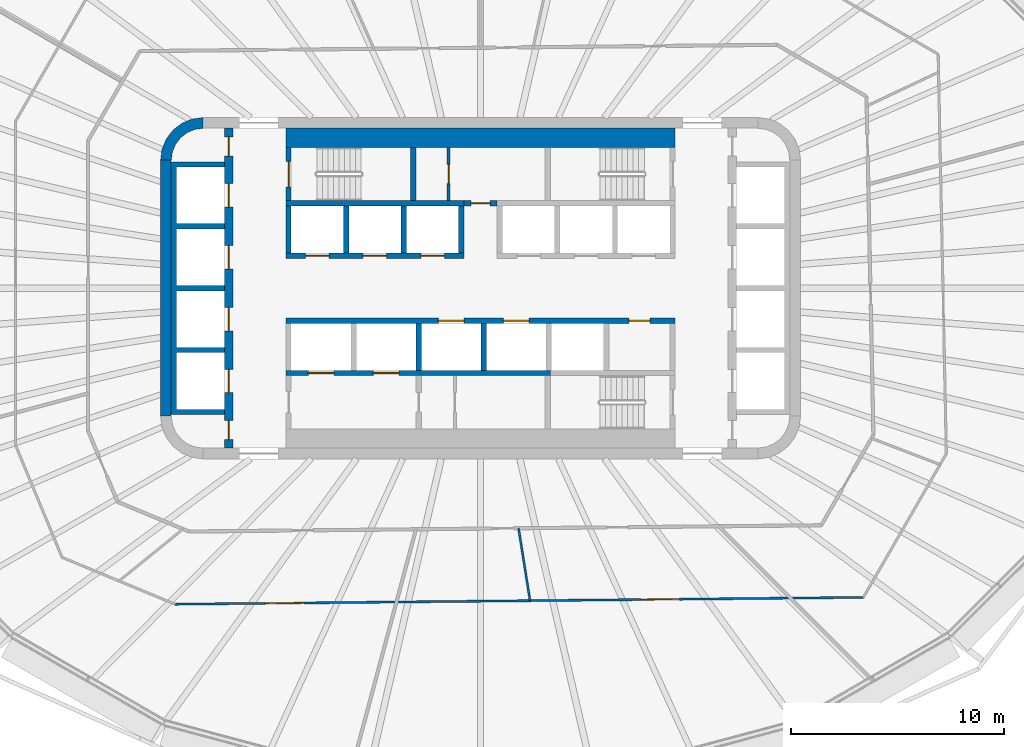
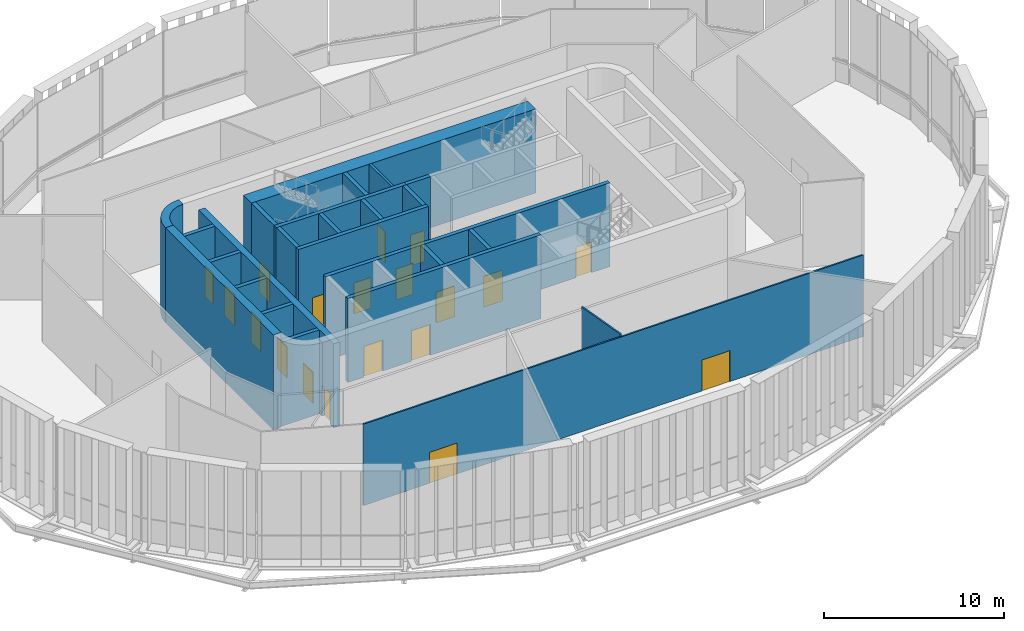
# One storey, part 8 of 18: 21 walls, 19 doors, 19 openings.
"""IFC4 building model written with IfcOpenShell, lengths in metres."""

from ifc_helpers import new_model, si_unit, direction, frame, frame_2d, origin, place, context, subcontext, project, spatial, polyline, rectangle, outline, extrude, material, layer, layer_set, type_object, element, fill, save


model = new_model("IFC4")

# Units and contexts
model_context = context("Model", 3, precision=1e-05, world=origin(), true_north=direction((0.0, 1.0)))
body_context = subcontext(model_context, "Body", "Model", "MODEL_VIEW")
ifc_project = project(units=[si_unit("LENGTHUNIT", "METRE"), si_unit("AREAUNIT", "SQUARE_METRE"), si_unit("VOLUMEUNIT", "CUBIC_METRE"), si_unit("PLANEANGLEUNIT", "RADIAN"), si_unit("MASSUNIT", "GRAM", prefix="KILO")], contexts=[model_context])

# Site, building, storey
site_placement = place(None, origin())
site = spatial("IfcSite", under=ifc_project, at=site_placement, CompositionType="ELEMENT")
building_placement = place(site_placement, origin())
building = spatial("IfcBuilding", under=site, at=building_placement, Name="Sahrelin Media Tower", CompositionType="ELEMENT")
storey_placement = place(building_placement, frame((0.0, 0.0, 203.0)))
storey = spatial("IfcBuildingStorey", under=building, at=storey_placement, Name="L43", CompositionType="ELEMENT", Elevation=203.0)

# Walls
ifc_material_1 = material(Name="Concrete C60/75", Category="concrete")
ifc_layer_1 = layer(ifc_material_1, 0.5)
ifc_layer_set_1 = layer_set([ifc_layer_1], Name="Core wall 500")
wall_type_1 = type_object("IfcWallType", Name="Core wall 500", PredefinedType="SHEAR", material=ifc_layer_set_1)
wall_1_placement = place(storey_placement, frame((-14.75, -6.0, 0.0), z_axis=(0.0, 0.0, 1.0), x_axis=(0.0, 1.0, 0.0)))
element("IfcWall", 1, at=wall_1_placement, inside=storey, type_object=wall_type_1, Name="Core wall W L43", PredefinedType="SHEAR", context=body_context, shape_type="SweptSolid", body=[
    extrude(rectangle(XDim=12.0, YDim=0.5, at=frame_2d((6.0, 0.0))), origin(), (0.0, 0.0, 1.0), 6.449951171875),
])
placement = place(storey_placement, origin())
element("IfcWall", 2, at=placement, inside=storey, type_object=wall_type_1, Name="Core wall corner NW L43", PredefinedType="SHEAR", context=body_context, shape_type="SweptSolid", body=[
    extrude(outline(polyline([(-15.0, 6.0), (-14.49560546875, 6.0), (-14.44482421875, 6.38720703125), (-14.29541015625, 6.747802734375), (-14.0576171875, 7.0576171875), (-13.747802734375, 7.29541015625), (-13.38720703125, 7.44482421875), (-13.0, 7.49560546875), (-13.0, 8.0), (-13.517578125, 7.931884765625), (-14.0, 7.732177734375), (-14.414306640625, 7.414306640625), (-14.732177734375, 7.0), (-14.931884765625, 6.517578125), (-15.0, 6.0)])), origin(), (0.0, 0.0, 1.0), 6.449951171875),
])

# Wall, opening, door
ifc_material_2 = material(Name="Fire-rated gypsum board partition")
ifc_layer_2 = layer(ifc_material_2, 0.25)
ifc_layer_set_2 = layer_set([ifc_layer_2], Name="Fire-rated lobby wall 250")
wall_type_2 = type_object("IfcWallType", Name="Fire-rated lobby wall 250", PredefinedType="PARTITIONING", material=ifc_layer_set_2)
wall_3_placement = place(storey_placement, frame((-0.77490234375, 3.97509765625, 0.0), z_axis=(0.0, 0.0, 1.0), x_axis=(1.0, 0.0, 0.0)))
wall_3 = element("IfcWall", 3, at=wall_3_placement, inside=storey, type_object=wall_type_2, Name="Core lobby wall", PredefinedType="PARTITIONING", context=body_context, shape_type="SweptSolid", body=[
    extrude(rectangle(XDim=1.5498046875, YDim=0.25, at=frame_2d((0.77490234375, 0.0))), origin(), (0.0, 0.0, 1.0), 5.699951171875),
])
opening_1_placement = place(wall_3_placement, frame((0.324951171875, 0.0, 0.0)))
opening_1 = element("IfcOpeningElement", 4, at=opening_1_placement, cuts=wall_3, Name="Opening L43-D06", PredefinedType="OPENING", context=body_context, shape_type="SweptSolid", body=[
    extrude(rectangle(XDim=0.89990234375, YDim=2.10009765625, at=frame_2d((0.449951171875, 1.050048828125))), frame((0.0, 0.125, 0.0), z_axis=(0.0, -1.0, 0.0), x_axis=(1.0, 0.0, 0.0)), (0.0, 0.0, 1.0), 0.25),
])
ifc_material_3 = material(Name="Steel fire door leaf", Category="steel")
door_type_1 = type_object("IfcDoorType", Name="Riser door 900 x 2100 EI 120", OperationType="NOTDEFINED", PredefinedType="DOOR", material=ifc_material_3)
door_1_placement = place(opening_1_placement, origin())
door_1 = element("IfcDoor", 5, at=door_1_placement, inside=storey, type_object=door_type_1, Name="Core room door", OperationType="SINGLE_SWING_LEFT", OverallHeight=2.10009765625, OverallWidth=0.89990234375, PredefinedType="DOOR", context=body_context, shape_type="SweptSolid", body=[
    extrude(rectangle(XDim=0.89990234375, YDim=2.10009765625, at=frame_2d((0.449951171875, 1.050048828125))), frame((0.0, 0.02490234375, 0.0), z_axis=(0.0, -1.0, 0.0), x_axis=(1.0, 0.0, 0.0)), (0.0, 0.0, 1.0), 0.050048828125),
])
fill(opening_1, door_1)

ifc_layer_3 = layer(ifc_material_2, 0.14990234375)
ifc_layer_set_3 = layer_set([ifc_layer_3], Name="Fire-rated partition 150")
wall_type_3 = type_object("IfcWallType", Name="Fire-rated partition 150", PredefinedType="PARTITIONING", material=ifc_layer_set_3)
wall_4_placement = place(storey_placement, frame((-1.5, 4.10009765625, 0.0), z_axis=(0.0, 0.0, 1.0), x_axis=(0.0, 1.0, 0.0)))
wall_4 = element("IfcWall", 6, at=wall_4_placement, inside=storey, type_object=wall_type_3, Name="Core room fire partition", PredefinedType="PARTITIONING", context=body_context, shape_type="SweptSolid", body=[
    extrude(rectangle(XDim=2.5, YDim=0.14990234375, at=frame_2d((1.25, 0.0))), origin(), (0.0, 0.0, 1.0), 5.699951171875),
])
opening_2_placement = place(wall_4_placement, frame((0.800048828125, 0.0, 0.0)))
opening_2 = element("IfcOpeningElement", 7, at=opening_2_placement, cuts=wall_4, Name="Opening L43-D07", PredefinedType="OPENING", context=body_context, shape_type="SweptSolid", body=[
    extrude(rectangle(XDim=0.89990234375, YDim=2.10009765625, at=frame_2d((0.449951171875, 1.050048828125))), frame((0.0, 0.074951171875, 0.0), z_axis=(0.0, -1.0, 0.0), x_axis=(1.0, 0.0, 0.0)), (0.0, 0.0, 1.0), 0.14990234375),
])
door_type_2 = type_object("IfcDoorType", Name="Fire door 900 x 2100 EI 60", OperationType="NOTDEFINED", PredefinedType="DOOR", material=ifc_material_3)
door_2_placement = place(opening_2_placement, origin())
door_2 = element("IfcDoor", 8, at=door_2_placement, inside=storey, type_object=door_type_2, Name="Core room door", OperationType="SINGLE_SWING_LEFT", OverallHeight=2.10009765625, OverallWidth=0.89990234375, PredefinedType="DOOR", context=body_context, shape_type="SweptSolid", body=[
    extrude(rectangle(XDim=0.89990234375, YDim=2.10009765625, at=frame_2d((0.449951171875, 1.050048828125))), frame((0.0, 0.02490234375, 0.0), z_axis=(0.0, -1.0, 0.0), x_axis=(1.0, 0.0, 0.0)), (0.0, 0.0, 1.0), 0.050048828125),
])
fill(opening_2, door_2)

# Wall, openings, doors
ifc_layer_4 = layer(ifc_material_1, 0.25)
ifc_layer_set_4 = layer_set([ifc_layer_4], Name="Lift shaft wall 250")
wall_type_4 = type_object("IfcWallType", Name="Lift shaft wall 250", PredefinedType="SOLIDWALL", material=ifc_layer_set_4)
wall_5_placement = place(storey_placement, frame((-9.125, 1.52490234375, 0.0), z_axis=(0.0, 0.0, 1.0), x_axis=(1.0, 0.0, 0.0)))
wall_5 = element("IfcWall", 9, at=wall_5_placement, inside=storey, type_object=wall_type_4, Name="Lift shaft wall", PredefinedType="SOLIDWALL", context=body_context, shape_type="SweptSolid", body=[
    extrude(rectangle(XDim=8.35009765625, YDim=0.25, at=frame_2d((4.175048828125, 0.0))), origin(), (0.0, 0.0, 1.0), 5.699951171875),
])
opening_3_placement = place(wall_5_placement, frame((0.925048828125, 0.0, 0.0)))
opening_3 = element("IfcOpeningElement", 10, at=opening_3_placement, cuts=wall_5, Name="Opening L43-LD-HR1", PredefinedType="OPENING", context=body_context, shape_type="SweptSolid", body=[
    extrude(rectangle(XDim=1.10009765625, YDim=2.10009765625, at=frame_2d((0.550048828125, 1.050048828125))), frame((0.0, 0.125, 0.0), z_axis=(0.0, -1.0, 0.0), x_axis=(1.0, 0.0, 0.0)), (0.0, 0.0, 1.0), 0.25),
])
opening_4_placement = place(wall_5_placement, frame((3.625, 0.0, 0.0)))
opening_4 = element("IfcOpeningElement", 11, at=opening_4_placement, cuts=wall_5, Name="Opening L43-LD-HR2", PredefinedType="OPENING", context=body_context, shape_type="SweptSolid", body=[
    extrude(rectangle(XDim=1.10009765625, YDim=2.10009765625, at=frame_2d((0.550048828125, 1.050048828125))), frame((0.0, 0.125, 0.0), z_axis=(0.0, -1.0, 0.0), x_axis=(1.0, 0.0, 0.0)), (0.0, 0.0, 1.0), 0.25),
])
opening_5_placement = place(wall_5_placement, frame((6.324951171875, 0.0, 0.0)))
opening_5 = element("IfcOpeningElement", 12, at=opening_5_placement, cuts=wall_5, Name="Opening L43-LD-HR3", PredefinedType="OPENING", context=body_context, shape_type="SweptSolid", body=[
    extrude(rectangle(XDim=1.10009765625, YDim=2.10009765625, at=frame_2d((0.550048828125, 1.050048828125))), frame((0.0, 0.125, 0.0), z_axis=(0.0, -1.0, 0.0), x_axis=(1.0, 0.0, 0.0)), (0.0, 0.0, 1.0), 0.25),
])
ifc_material_4 = material(Name="Stainless steel", Category="steel")
door_type_3 = type_object("IfcDoorType", Name="Lift landing door 1100 x 2100 EI 120", OperationType="DOUBLE_DOOR_SLIDING", PredefinedType="DOOR", material=ifc_material_4)
door_3_placement = place(opening_3_placement, origin())
door_3 = element("IfcDoor", 13, at=door_3_placement, inside=storey, type_object=door_type_3, Name="Lift landing door HR1", OperationType="DOUBLE_DOOR_SLIDING", OverallHeight=2.10009765625, OverallWidth=1.10009765625, PredefinedType="DOOR", context=body_context, shape_type="SweptSolid", body=[
    extrude(rectangle(XDim=1.10009765625, YDim=2.10009765625, at=frame_2d((0.550048828125, 1.050048828125))), frame((0.0, 0.02490234375, 0.0), z_axis=(0.0, -1.0, 0.0), x_axis=(1.0, 0.0, 0.0)), (0.0, 0.0, 1.0), 0.050048828125),
])
fill(opening_3, door_3)
door_4_placement = place(opening_4_placement, origin())
door_4 = element("IfcDoor", 14, at=door_4_placement, inside=storey, type_object=door_type_3, Name="Lift landing door HR2", OperationType="DOUBLE_DOOR_SLIDING", OverallHeight=2.10009765625, OverallWidth=1.10009765625, PredefinedType="DOOR", context=body_context, shape_type="SweptSolid", body=[
    extrude(rectangle(XDim=1.10009765625, YDim=2.10009765625, at=frame_2d((0.550048828125, 1.050048828125))), frame((0.0, 0.02490234375, 0.0), z_axis=(0.0, -1.0, 0.0), x_axis=(1.0, 0.0, 0.0)), (0.0, 0.0, 1.0), 0.050048828125),
])
fill(opening_4, door_4)
door_5_placement = place(opening_5_placement, origin())
door_5 = element("IfcDoor", 15, at=door_5_placement, inside=storey, type_object=door_type_3, Name="Lift landing door HR3", OperationType="DOUBLE_DOOR_SLIDING", OverallHeight=2.10009765625, OverallWidth=1.10009765625, PredefinedType="DOOR", context=body_context, shape_type="SweptSolid", body=[
    extrude(rectangle(XDim=1.10009765625, YDim=2.10009765625, at=frame_2d((0.550048828125, 1.050048828125))), frame((0.0, 0.02490234375, 0.0), z_axis=(0.0, -1.0, 0.0), x_axis=(1.0, 0.0, 0.0)), (0.0, 0.0, 1.0), 0.050048828125),
])
fill(opening_5, door_5)

# Walls
wall_6_placement = place(storey_placement, frame((-9.125, 3.97509765625, 0.0), z_axis=(0.0, 0.0, 1.0), x_axis=(1.0, 0.0, 0.0)))
element("IfcWall", 16, at=wall_6_placement, inside=storey, type_object=wall_type_4, Name="Lift shaft wall", PredefinedType="SOLIDWALL", context=body_context, shape_type="SweptSolid", body=[
    extrude(rectangle(XDim=8.35009765625, YDim=0.25, at=frame_2d((4.175048828125, 0.0))), origin(), (0.0, 0.0, 1.0), 5.699951171875),
])
for number, where, z_axis, x_axis, name in (
    (17, (-9.0, 1.64990234375, 0.0), (0.0, 0.0, 1.0), (0.0, 1.0, 0.0), "Lift shaft wall"),
    (18, (-6.300048828125, 1.64990234375, 0.0), (0.0, 0.0, 1.0), (0.0, 1.0, 0.0), "Lift shaft wall"),
    (19, (-3.60009765625, 1.64990234375, 0.0), (0.0, 0.0, 1.0), (0.0, 1.0, 0.0), "Lift shaft wall"),
    (20, (-0.89990234375, 1.64990234375, 0.0), (0.0, 0.0, 1.0), (0.0, 1.0, 0.0), "Lift shaft wall"),
):
    element("IfcWall", number, at=place(storey_placement, frame(where, z_axis=z_axis, x_axis=x_axis)), inside=storey, type_object=wall_type_4, Name=name, PredefinedType="SOLIDWALL", context=body_context, shape_type="SweptSolid", body=[
        extrude(rectangle(XDim=2.2001953125, YDim=0.25, at=frame_2d((1.10009765625, 0.0))), origin(), (0.0, 0.0, 1.0), 5.699951171875),
    ])

# Wall, openings, doors
wall_7_placement = place(storey_placement, frame((-9.125, -1.52490234375, 0.0), z_axis=(0.0, 0.0, 1.0), x_axis=(1.0, 0.0, 0.0)))
wall_7 = element("IfcWall", 21, at=wall_7_placement, inside=storey, type_object=wall_type_4, Name="Lift shaft wall", PredefinedType="SOLIDWALL", context=body_context, shape_type="SweptSolid", body=[
    extrude(rectangle(XDim=18.25, YDim=0.25, at=frame_2d((9.125, 0.0))), origin(), (0.0, 0.0, 1.0), 5.699951171875),
])
opening_6_placement = place(wall_7_placement, frame((7.14990234375, 0.0, 0.0)))
opening_6 = element("IfcOpeningElement", 22, at=opening_6_placement, cuts=wall_7, Name="Opening L43-LD-SV1", PredefinedType="OPENING", context=body_context, shape_type="SweptSolid", body=[
    extrude(rectangle(XDim=1.199951171875, YDim=2.10009765625, at=frame_2d((0.60009765625, 1.050048828125))), frame((0.0, 0.125, 0.0), z_axis=(0.0, -1.0, 0.0), x_axis=(1.0, 0.0, 0.0)), (0.0, 0.0, 1.0), 0.25),
])
opening_7_placement = place(wall_7_placement, frame((10.199951171875, 0.0, 0.0)))
opening_7 = element("IfcOpeningElement", 23, at=opening_7_placement, cuts=wall_7, Name="Opening L43-LD-SV2", PredefinedType="OPENING", context=body_context, shape_type="SweptSolid", body=[
    extrude(rectangle(XDim=1.199951171875, YDim=2.10009765625, at=frame_2d((0.60009765625, 1.050048828125))), frame((0.0, 0.125, 0.0), z_axis=(0.0, -1.0, 0.0), x_axis=(1.0, 0.0, 0.0)), (0.0, 0.0, 1.0), 0.25),
])
opening_8_placement = place(wall_7_placement, frame((16.074951171875, 0.0, 0.0)))
opening_8 = element("IfcOpeningElement", 24, at=opening_8_placement, cuts=wall_7, Name="Opening L43-D09", PredefinedType="OPENING", context=body_context, shape_type="SweptSolid", body=[
    extrude(rectangle(XDim=1.0, YDim=2.10009765625, at=frame_2d((0.5, 1.050048828125))), frame((0.0, 0.125, 0.0), z_axis=(0.0, -1.0, 0.0), x_axis=(1.0, 0.0, 0.0)), (0.0, 0.0, 1.0), 0.25),
])
door_type_4 = type_object("IfcDoorType", Name="Fire door 1000 x 2100 EI 60", OperationType="NOTDEFINED", PredefinedType="DOOR", material=ifc_material_3)
door_6_placement = place(opening_8_placement, origin())
door_6 = element("IfcDoor", 25, at=door_6_placement, inside=storey, type_object=door_type_4, Name="Core room door", OperationType="SINGLE_SWING_RIGHT", OverallHeight=2.10009765625, OverallWidth=1.0, PredefinedType="DOOR", context=body_context, shape_type="SweptSolid", body=[
    extrude(rectangle(XDim=1.0, YDim=2.10009765625, at=frame_2d((0.5, 1.050048828125))), frame((0.0, 0.02490234375, 0.0), z_axis=(0.0, -1.0, 0.0), x_axis=(1.0, 0.0, 0.0)), (0.0, 0.0, 1.0), 0.050048828125),
])
fill(opening_8, door_6)
door_type_5 = type_object("IfcDoorType", Name="Lift landing door 1200 x 2100 EI 120", OperationType="DOUBLE_DOOR_SLIDING", PredefinedType="DOOR", material=ifc_material_4)
door_7_placement = place(opening_6_placement, origin())
door_7 = element("IfcDoor", 26, at=door_7_placement, inside=storey, type_object=door_type_5, Name="Lift landing door SV1", OperationType="DOUBLE_DOOR_SLIDING", OverallHeight=2.10009765625, OverallWidth=1.199951171875, PredefinedType="DOOR", context=body_context, shape_type="SweptSolid", body=[
    extrude(rectangle(XDim=1.199951171875, YDim=2.10009765625, at=frame_2d((0.60009765625, 1.050048828125))), frame((0.0, 0.02490234375, 0.0), z_axis=(0.0, -1.0, 0.0), x_axis=(1.0, 0.0, 0.0)), (0.0, 0.0, 1.0), 0.050048828125),
])
fill(opening_6, door_7)
door_8_placement = place(opening_7_placement, origin())
door_8 = element("IfcDoor", 27, at=door_8_placement, inside=storey, type_object=door_type_5, Name="Lift landing door SV2", OperationType="DOUBLE_DOOR_SLIDING", OverallHeight=2.10009765625, OverallWidth=1.199951171875, PredefinedType="DOOR", context=body_context, shape_type="SweptSolid", body=[
    extrude(rectangle(XDim=1.199951171875, YDim=2.10009765625, at=frame_2d((0.60009765625, 1.050048828125))), frame((0.0, 0.02490234375, 0.0), z_axis=(0.0, -1.0, 0.0), x_axis=(1.0, 0.0, 0.0)), (0.0, 0.0, 1.0), 0.050048828125),
])
fill(opening_7, door_8)

wall_8_placement = place(storey_placement, frame((-9.125, -3.97509765625, 0.0), z_axis=(0.0, 0.0, 1.0), x_axis=(1.0, 0.0, 0.0)))
wall_8 = element("IfcWall", 28, at=wall_8_placement, inside=storey, type_object=wall_type_4, Name="Lift shaft wall", PredefinedType="SOLIDWALL", context=body_context, shape_type="SweptSolid", body=[
    extrude(rectangle(XDim=12.39990234375, YDim=0.25, at=frame_2d((6.199951171875, 0.0))), origin(), (0.0, 0.0, 1.0), 5.699951171875),
])
opening_9_placement = place(wall_8_placement, frame((1.050048828125, 0.0, 0.0)))
opening_9 = element("IfcOpeningElement", 29, at=opening_9_placement, cuts=wall_8, Name="Opening L43-LD-FF1", PredefinedType="OPENING", context=body_context, shape_type="SweptSolid", body=[
    extrude(rectangle(XDim=1.199951171875, YDim=2.10009765625, at=frame_2d((0.60009765625, 1.050048828125))), frame((0.0, 0.125, 0.0), z_axis=(0.0, -1.0, 0.0), x_axis=(1.0, 0.0, 0.0)), (0.0, 0.0, 1.0), 0.25),
])
opening_10_placement = place(wall_8_placement, frame((4.10009765625, 0.0, 0.0)))
opening_10 = element("IfcOpeningElement", 30, at=opening_10_placement, cuts=wall_8, Name="Opening L43-LD-FF2", PredefinedType="OPENING", context=body_context, shape_type="SweptSolid", body=[
    extrude(rectangle(XDim=1.199951171875, YDim=2.10009765625, at=frame_2d((0.60009765625, 1.050048828125))), frame((0.0, 0.125, 0.0), z_axis=(0.0, -1.0, 0.0), x_axis=(1.0, 0.0, 0.0)), (0.0, 0.0, 1.0), 0.25),
])
door_9_placement = place(opening_9_placement, origin())
door_9 = element("IfcDoor", 31, at=door_9_placement, inside=storey, type_object=door_type_5, Name="Lift landing door FF1", OperationType="DOUBLE_DOOR_SLIDING", OverallHeight=2.10009765625, OverallWidth=1.199951171875, PredefinedType="DOOR", context=body_context, shape_type="SweptSolid", body=[
    extrude(rectangle(XDim=1.199951171875, YDim=2.10009765625, at=frame_2d((0.60009765625, 1.050048828125))), frame((0.0, 0.02490234375, 0.0), z_axis=(0.0, -1.0, 0.0), x_axis=(1.0, 0.0, 0.0)), (0.0, 0.0, 1.0), 0.050048828125),
])
fill(opening_9, door_9)
door_10_placement = place(opening_10_placement, origin())
door_10 = element("IfcDoor", 32, at=door_10_placement, inside=storey, type_object=door_type_5, Name="Lift landing door FF2", OperationType="DOUBLE_DOOR_SLIDING", OverallHeight=2.10009765625, OverallWidth=1.199951171875, PredefinedType="DOOR", context=body_context, shape_type="SweptSolid", body=[
    extrude(rectangle(XDim=1.199951171875, YDim=2.10009765625, at=frame_2d((0.60009765625, 1.050048828125))), frame((0.0, 0.02490234375, 0.0), z_axis=(0.0, -1.0, 0.0), x_axis=(1.0, 0.0, 0.0)), (0.0, 0.0, 1.0), 0.050048828125),
])
fill(opening_10, door_10)

# Walls
for number, where, z_axis, x_axis, name in (
    (33, (-2.89990234375, -3.85009765625, 0.0), (0.0, 0.0, 1.0), (0.0, 1.0, 0.0), "Lift shaft wall"),
    (34, (0.14990234375, -3.85009765625, 0.0), (0.0, 0.0, 1.0), (0.0, 1.0, 0.0), "Lift shaft wall"),
):
    element("IfcWall", number, at=place(storey_placement, frame(where, z_axis=z_axis, x_axis=x_axis)), inside=storey, type_object=wall_type_4, Name=name, PredefinedType="SOLIDWALL", context=body_context, shape_type="SweptSolid", body=[
        extrude(rectangle(XDim=2.2001953125, YDim=0.25, at=frame_2d((1.10009765625, 0.0))), origin(), (0.0, 0.0, 1.0), 5.699951171875),
    ])
element("IfcWall", 35, at=placement, inside=storey, type_object=wall_type_4, Name="Lift shaft wall", PredefinedType="SOLIDWALL", context=body_context, shape_type="SweptSolid", body=[
    extrude(outline(polyline([(-12.0, -5.925048828125), (-12.0, -5.675048828125), (-14.25, -5.675048828125), (-14.25, -3.02490234375), (-12.0, -3.02490234375), (-12.0, -2.77490234375), (-14.25, -2.77490234375), (-14.25, -0.125), (-12.0, -0.125), (-12.0, 0.125), (-14.25, 0.125), (-14.25, 2.77490234375), (-12.0, 2.77490234375), (-12.0, 3.02490234375), (-14.25, 3.02490234375), (-14.25, 5.675048828125), (-12.0, 5.675048828125), (-12.0, 5.925048828125), (-14.25, 5.925048828125), (-14.5, 5.925048828125), (-14.5, 5.675048828125), (-14.5, 3.02490234375), (-14.5, 2.77490234375), (-14.5, 0.125), (-14.5, -0.125), (-14.5, -2.77490234375), (-14.5, -3.02490234375), (-14.5, -5.675048828125), (-14.5, -5.925048828125), (-14.25, -5.925048828125), (-12.0, -5.925048828125)])), origin(), (0.0, 0.0, 1.0), 5.699951171875),
])

# Wall, openings, doors
ifc_layer_5 = layer(ifc_material_1, 0.39990234375)
ifc_layer_set_5 = layer_set([ifc_layer_5], Name="Lift shaft wall 400")
wall_type_5 = type_object("IfcWallType", Name="Lift shaft wall 400", PredefinedType="SOLIDWALL", material=ifc_layer_set_5)
wall_10_placement = place(storey_placement, frame((-11.800048828125, -7.5, 0.0), z_axis=(0.0, 0.0, 1.0), x_axis=(0.0, 1.0, 0.0)))
wall_10 = element("IfcWall", 36, at=wall_10_placement, inside=storey, type_object=wall_type_5, Name="Lift shaft wall", PredefinedType="SOLIDWALL", context=body_context, shape_type="SweptSolid", body=[
    extrude(rectangle(XDim=15.0, YDim=0.39990234375, at=frame_2d((7.5, 0.0))), origin(), (0.0, 0.0, 1.0), 5.699951171875),
])
opening_11_placement = place(wall_10_placement, frame((11.300048828125, 0.0, 0.0)))
opening_11 = element("IfcOpeningElement", 37, at=opening_11_placement, cuts=wall_10, Name="Opening L43-LD-LR1", PredefinedType="OPENING", context=body_context, shape_type="SweptSolid", body=[
    extrude(rectangle(XDim=1.10009765625, YDim=2.10009765625, at=frame_2d((0.550048828125, 1.050048828125))), frame((0.0, 0.199951171875, 0.0), z_axis=(0.0, -1.0, 0.0), x_axis=(1.0, 0.0, 0.0)), (0.0, 0.0, 1.0), 0.39990234375),
])
opening_12_placement = place(wall_10_placement, frame((8.39990234375, 0.0, 0.0)))
opening_12 = element("IfcOpeningElement", 38, at=opening_12_placement, cuts=wall_10, Name="Opening L43-LD-LR2", PredefinedType="OPENING", context=body_context, shape_type="SweptSolid", body=[
    extrude(rectangle(XDim=1.10009765625, YDim=2.10009765625, at=frame_2d((0.550048828125, 1.050048828125))), frame((0.0, 0.199951171875, 0.0), z_axis=(0.0, -1.0, 0.0), x_axis=(1.0, 0.0, 0.0)), (0.0, 0.0, 1.0), 0.39990234375),
])
opening_13_placement = place(wall_10_placement, frame((5.5, 0.0, 0.0)))
opening_13 = element("IfcOpeningElement", 39, at=opening_13_placement, cuts=wall_10, Name="Opening L43-LD-LR3", PredefinedType="OPENING", context=body_context, shape_type="SweptSolid", body=[
    extrude(rectangle(XDim=1.10009765625, YDim=2.10009765625, at=frame_2d((0.550048828125, 1.050048828125))), frame((0.0, 0.199951171875, 0.0), z_axis=(0.0, -1.0, 0.0), x_axis=(1.0, 0.0, 0.0)), (0.0, 0.0, 1.0), 0.39990234375),
])
opening_14_placement = place(wall_10_placement, frame((2.60009765625, 0.0, 0.0)))
opening_14 = element("IfcOpeningElement", 40, at=opening_14_placement, cuts=wall_10, Name="Opening L43-LD-SH1", PredefinedType="OPENING", context=body_context, shape_type="SweptSolid", body=[
    extrude(rectangle(XDim=1.10009765625, YDim=2.10009765625, at=frame_2d((0.550048828125, 1.050048828125))), frame((0.0, 0.199951171875, 0.0), z_axis=(0.0, -1.0, 0.0), x_axis=(1.0, 0.0, 0.0)), (0.0, 0.0, 1.0), 0.39990234375),
])
opening_15_placement = place(wall_10_placement, frame((13.696533203125, 0.0, 0.0)))
opening_15 = element("IfcOpeningElement", 41, at=opening_15_placement, cuts=wall_10, Name="Opening L43-D10", PredefinedType="OPENING", context=body_context, shape_type="SweptSolid", body=[
    extrude(rectangle(XDim=0.89990234375, YDim=2.10009765625, at=frame_2d((0.449951171875, 1.050048828125))), frame((0.0, 0.199951171875, 0.0), z_axis=(0.0, -1.0, 0.0), x_axis=(1.0, 0.0, 0.0)), (0.0, 0.0, 1.0), 0.39990234375),
])
opening_16_placement = place(wall_10_placement, frame((0.4033203125, 0.0, 0.0)))
opening_16 = element("IfcOpeningElement", 42, at=opening_16_placement, cuts=wall_10, Name="Opening L43-D11", PredefinedType="OPENING", context=body_context, shape_type="SweptSolid", body=[
    extrude(rectangle(XDim=0.89990234375, YDim=2.10009765625, at=frame_2d((0.449951171875, 1.050048828125))), frame((0.0, 0.199951171875, 0.0), z_axis=(0.0, -1.0, 0.0), x_axis=(1.0, 0.0, 0.0)), (0.0, 0.0, 1.0), 0.39990234375),
])
door_11_placement = place(opening_11_placement, origin())
door_11 = element("IfcDoor", 43, at=door_11_placement, inside=storey, type_object=door_type_3, Name="Lift landing door LR1", OperationType="DOUBLE_DOOR_SLIDING", OverallHeight=2.10009765625, OverallWidth=1.10009765625, PredefinedType="DOOR", context=body_context, shape_type="SweptSolid", body=[
    extrude(rectangle(XDim=1.10009765625, YDim=2.10009765625, at=frame_2d((0.550048828125, 1.050048828125))), frame((0.0, 0.02490234375, 0.0), z_axis=(0.0, -1.0, 0.0), x_axis=(1.0, 0.0, 0.0)), (0.0, 0.0, 1.0), 0.050048828125),
])
fill(opening_11, door_11)
door_12_placement = place(opening_12_placement, origin())
door_12 = element("IfcDoor", 44, at=door_12_placement, inside=storey, type_object=door_type_3, Name="Lift landing door LR2", OperationType="DOUBLE_DOOR_SLIDING", OverallHeight=2.10009765625, OverallWidth=1.10009765625, PredefinedType="DOOR", context=body_context, shape_type="SweptSolid", body=[
    extrude(rectangle(XDim=1.10009765625, YDim=2.10009765625, at=frame_2d((0.550048828125, 1.050048828125))), frame((0.0, 0.02490234375, 0.0), z_axis=(0.0, -1.0, 0.0), x_axis=(1.0, 0.0, 0.0)), (0.0, 0.0, 1.0), 0.050048828125),
])
fill(opening_12, door_12)
door_13_placement = place(opening_13_placement, origin())
door_13 = element("IfcDoor", 45, at=door_13_placement, inside=storey, type_object=door_type_3, Name="Lift landing door LR3", OperationType="DOUBLE_DOOR_SLIDING", OverallHeight=2.10009765625, OverallWidth=1.10009765625, PredefinedType="DOOR", context=body_context, shape_type="SweptSolid", body=[
    extrude(rectangle(XDim=1.10009765625, YDim=2.10009765625, at=frame_2d((0.550048828125, 1.050048828125))), frame((0.0, 0.02490234375, 0.0), z_axis=(0.0, -1.0, 0.0), x_axis=(1.0, 0.0, 0.0)), (0.0, 0.0, 1.0), 0.050048828125),
])
fill(opening_13, door_13)
door_14_placement = place(opening_14_placement, origin())
door_14 = element("IfcDoor", 46, at=door_14_placement, inside=storey, type_object=door_type_3, Name="Lift landing door SH1", OperationType="DOUBLE_DOOR_SLIDING", OverallHeight=2.10009765625, OverallWidth=1.10009765625, PredefinedType="DOOR", context=body_context, shape_type="SweptSolid", body=[
    extrude(rectangle(XDim=1.10009765625, YDim=2.10009765625, at=frame_2d((0.550048828125, 1.050048828125))), frame((0.0, 0.02490234375, 0.0), z_axis=(0.0, -1.0, 0.0), x_axis=(1.0, 0.0, 0.0)), (0.0, 0.0, 1.0), 0.050048828125),
])
fill(opening_14, door_14)
door_15_placement = place(opening_15_placement, origin())
door_15 = element("IfcDoor", 47, at=door_15_placement, inside=storey, type_object=door_type_1, Name="Riser door", OperationType="SINGLE_SWING_LEFT", OverallHeight=2.10009765625, OverallWidth=0.89990234375, PredefinedType="DOOR", context=body_context, shape_type="SweptSolid", body=[
    extrude(rectangle(XDim=0.89990234375, YDim=2.10009765625, at=frame_2d((0.449951171875, 1.050048828125))), frame((0.0, 0.02490234375, 0.0), z_axis=(0.0, -1.0, 0.0), x_axis=(1.0, 0.0, 0.0)), (0.0, 0.0, 1.0), 0.050048828125),
])
fill(opening_15, door_15)
door_16_placement = place(opening_16_placement, origin())
door_16 = element("IfcDoor", 48, at=door_16_placement, inside=storey, type_object=door_type_1, Name="Riser door", OperationType="SINGLE_SWING_LEFT", OverallHeight=2.10009765625, OverallWidth=0.89990234375, PredefinedType="DOOR", context=body_context, shape_type="SweptSolid", body=[
    extrude(rectangle(XDim=0.89990234375, YDim=2.10009765625, at=frame_2d((0.449951171875, 1.050048828125))), frame((0.0, 0.02490234375, 0.0), z_axis=(0.0, -1.0, 0.0), x_axis=(1.0, 0.0, 0.0)), (0.0, 0.0, 1.0), 0.050048828125),
])
fill(opening_16, door_16)

# Wall
ifc_material_5 = material(Name="Gypsum board partition")
ifc_layer_6 = layer(ifc_material_5, 0.10009765625)
ifc_layer_set_6 = layer_set([ifc_layer_6], Name="Partition 100")
wall_type_6 = type_object("IfcWallType", Name="Partition 100", PredefinedType="PARTITIONING", material=ifc_layer_set_6)
wall_11_placement = place(storey_placement, frame((1.781982421875, -11.25390625, 0.0), z_axis=(0.0, 0.0, 1.0), x_axis=(0.156538808155, -0.987671808619, 0.0)))
element("IfcWall", 49, at=wall_11_placement, inside=storey, type_object=wall_type_6, Name="Wall", PredefinedType="PARTITIONING", context=body_context, shape_type="SweptSolid", body=[
    extrude(rectangle(XDim=3.4375, YDim=0.10009765625, at=frame_2d((1.71875, 0.0))), origin(), (0.0, 0.0, 1.0), 5.699951171875),
])

# Wall, openings, doors
wall_12_placement = place(storey_placement, frame((-14.320068359375, -14.81396484375, 0.0), z_axis=(0.0, 0.0, 1.0), x_axis=(0.999950809916, 0.009918555737, 0.0)))
wall_12 = element("IfcWall", 50, at=wall_12_placement, inside=storey, type_object=wall_type_6, Name="Wall", PredefinedType="PARTITIONING", context=body_context, shape_type="SweptSolid", body=[
    extrude(rectangle(XDim=32.269775390625, YDim=0.10009765625, at=frame_2d((16.134765625, 0.0))), origin(), (0.0, 0.0, 1.0), 5.527099609375),
])
opening_17_placement = place(wall_12_placement, frame((4.23876953125, 0.0, 0.0)))
opening_17 = element("IfcOpeningElement", 51, at=opening_17_placement, cuts=wall_12, Name="Opening L43-D29", PredefinedType="OPENING", context=body_context, shape_type="SweptSolid", body=[
    extrude(rectangle(XDim=1.800048828125, YDim=2.10009765625, at=frame_2d((0.89990234375, 1.050048828125))), frame((0.0, 0.050048828125, 0.0), z_axis=(0.0, -1.0, 0.0), x_axis=(1.0, 0.0, 0.0)), (0.0, 0.0, 1.0), 0.10009765625),
])
opening_18_placement = place(wall_12_placement, frame((21.84521484375, 0.0, 0.0)))
opening_18 = element("IfcOpeningElement", 52, at=opening_18_placement, cuts=wall_12, Name="Opening L43-D32", PredefinedType="OPENING", context=body_context, shape_type="SweptSolid", body=[
    extrude(rectangle(XDim=1.800048828125, YDim=2.10009765625, at=frame_2d((0.89990234375, 1.050048828125))), frame((0.0, 0.050048828125, 0.0), z_axis=(0.0, -1.0, 0.0), x_axis=(1.0, 0.0, 0.0)), (0.0, 0.0, 1.0), 0.10009765625),
])
ifc_material_6 = material(Name="Timber door leaf", Category="wood")
door_type_6 = type_object("IfcDoorType", Name="Double door 1800 x 2100", OperationType="DOUBLE_DOOR_SINGLE_SWING", PredefinedType="DOOR", material=ifc_material_6)
door_17_placement = place(opening_17_placement, origin())
door_17 = element("IfcDoor", 53, at=door_17_placement, inside=storey, type_object=door_type_6, Name="Double door", OperationType="DOUBLE_DOOR_SINGLE_SWING", OverallHeight=2.10009765625, OverallWidth=1.800048828125, PredefinedType="DOOR", context=body_context, shape_type="SweptSolid", body=[
    extrude(rectangle(XDim=1.800048828125, YDim=2.10009765625, at=frame_2d((0.89990234375, 1.050048828125))), frame((0.0, 0.02490234375, 0.0), z_axis=(0.0, -1.0, 0.0), x_axis=(1.0, 0.0, 0.0)), (0.0, 0.0, 1.0), 0.050048828125),
])
fill(opening_17, door_17)
door_18_placement = place(opening_18_placement, origin())
door_18 = element("IfcDoor", 54, at=door_18_placement, inside=storey, type_object=door_type_6, Name="Double door", OperationType="DOUBLE_DOOR_SINGLE_SWING", OverallHeight=2.10009765625, OverallWidth=1.800048828125, PredefinedType="DOOR", context=body_context, shape_type="SweptSolid", body=[
    extrude(rectangle(XDim=1.800048828125, YDim=2.10009765625, at=frame_2d((0.89990234375, 1.050048828125))), frame((0.0, 0.02490234375, 0.0), z_axis=(0.0, -1.0, 0.0), x_axis=(1.0, 0.0, 0.0)), (0.0, 0.0, 1.0), 0.050048828125),
])
fill(opening_18, door_18)

# Wall, opening, door
ifc_layer_7 = layer(ifc_material_1, 0.25)
ifc_layer_set_7 = layer_set([ifc_layer_7], Name="Stair enclosure wall 250")
wall_type_7 = type_object("IfcWallType", Name="Stair enclosure wall 250", PredefinedType="SOLIDWALL", material=ifc_layer_set_7)
wall_13_placement = place(storey_placement, frame((-9.0, 4.10009765625, 0.0), z_axis=(0.0, 0.0, 1.0), x_axis=(0.0, 1.0, 0.0)))
wall_13 = element("IfcWall", 55, at=wall_13_placement, inside=storey, type_object=wall_type_7, Name="Stair enclosure wall", PredefinedType="SOLIDWALL", context=body_context, shape_type="SweptSolid", body=[
    extrude(rectangle(XDim=2.5, YDim=0.25, at=frame_2d((1.25, 0.0))), origin(), (0.0, 0.0, 1.0), 5.699951171875),
])
opening_19_placement = place(wall_13_placement, frame((0.64990234375, 0.0, 0.0)))
opening_19 = element("IfcOpeningElement", 56, at=opening_19_placement, cuts=wall_13, Name="Opening L43-D01", PredefinedType="OPENING", context=body_context, shape_type="SweptSolid", body=[
    extrude(rectangle(XDim=1.199951171875, YDim=2.10009765625, at=frame_2d((0.60009765625, 1.050048828125))), frame((0.0, 0.125, 0.0), z_axis=(0.0, -1.0, 0.0), x_axis=(1.0, 0.0, 0.0)), (0.0, 0.0, 1.0), 0.25),
])
door_type_7 = type_object("IfcDoorType", Name="Stair door 1200 x 2100 EI 120", OperationType="NOTDEFINED", PredefinedType="DOOR", material=ifc_material_3)
door_19_placement = place(opening_19_placement, origin())
door_19 = element("IfcDoor", 57, at=door_19_placement, inside=storey, type_object=door_type_7, Name="Stair door ST1", OperationType="SINGLE_SWING_RIGHT", OverallHeight=2.10009765625, OverallWidth=1.199951171875, PredefinedType="DOOR", context=body_context, shape_type="SweptSolid", body=[
    extrude(rectangle(XDim=1.199951171875, YDim=2.10009765625, at=frame_2d((0.60009765625, 1.050048828125))), frame((0.0, 0.02490234375, 0.0), z_axis=(0.0, -1.0, 0.0), x_axis=(1.0, 0.0, 0.0)), (0.0, 0.0, 1.0), 0.050048828125),
])
fill(opening_19, door_19)

# Walls
wall_14_placement = place(storey_placement, frame((-3.14990234375, 4.10009765625, 0.0), z_axis=(0.0, 0.0, 1.0), x_axis=(0.0, 1.0, 0.0)))
element("IfcWall", 58, at=wall_14_placement, inside=storey, type_object=wall_type_7, Name="Stair enclosure wall", PredefinedType="SOLIDWALL", context=body_context, shape_type="SweptSolid", body=[
    extrude(rectangle(XDim=2.5, YDim=0.25, at=frame_2d((1.25, 0.0))), origin(), (0.0, 0.0, 1.0), 5.699951171875),
])
ifc_layer_8 = layer(ifc_material_1, 0.89990234375)
ifc_layer_set_8 = layer_set([ifc_layer_8], Name="Stair enclosure wall 900")
wall_type_8 = type_object("IfcWallType", Name="Stair enclosure wall 900", PredefinedType="SOLIDWALL", material=ifc_layer_set_8)
wall_15_placement = place(storey_placement, frame((-9.125, 7.050048828125, 0.0), z_axis=(0.0, 0.0, 1.0), x_axis=(1.0, 0.0, 0.0)))
element("IfcWall", 59, at=wall_15_placement, inside=storey, type_object=wall_type_8, Name="Stair enclosure wall", PredefinedType="SOLIDWALL", context=body_context, shape_type="SweptSolid", body=[
    extrude(rectangle(XDim=18.25, YDim=0.89990234375, at=frame_2d((9.125, 0.0))), origin(), (0.0, 0.0, 1.0), 5.699951171875),
])

save(model, "model.ifc")
